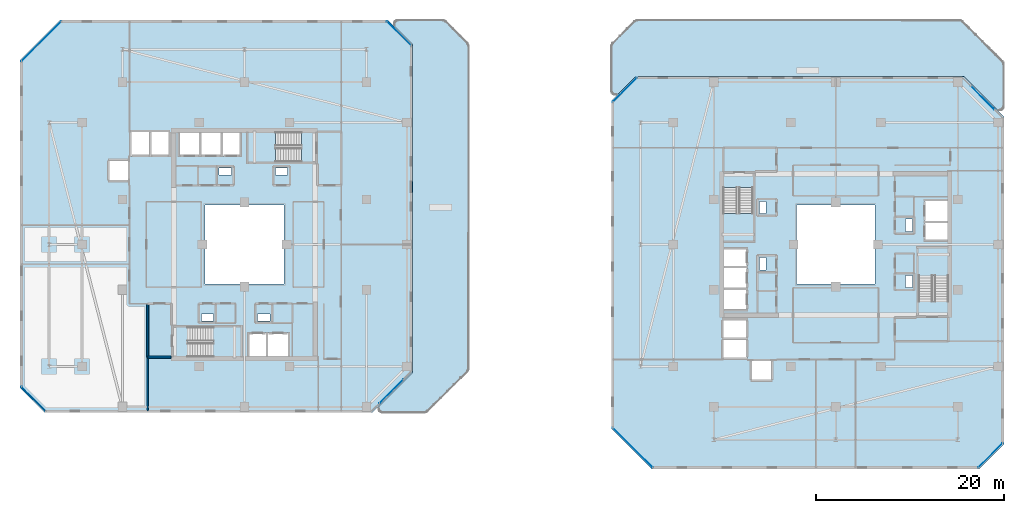
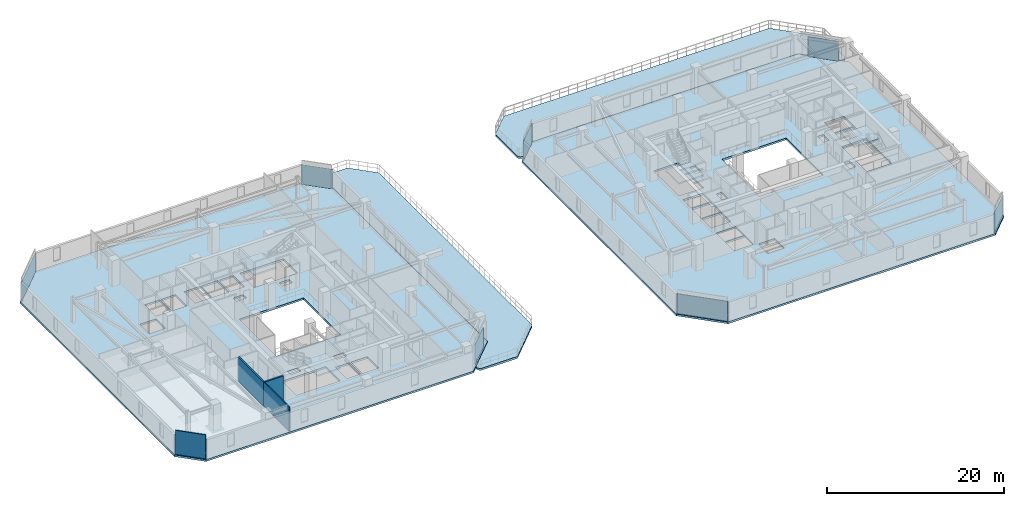
# One storey, part 19 of 32: 8 plates, 8 slabs, 4 walls, 12 elements without a shape of their own.
"""IFC4 building model written with IfcOpenShell, lengths in metres."""

from ifc_helpers import new_model, si_unit, direction, frame, frame_2d, origin, origin_2d, place, context, subcontext, project, spatial, polyline, rectangle, outline, extrude, material, layer, layer_set, type_object, element, aggregate, save


model = new_model("IFC4")

# Units and contexts
model_context = context("Model", 3, precision=1e-05, world=origin(), true_north=direction((0.0, 1.0)))
body_context = subcontext(model_context, "Body", "Model", "MODEL_VIEW")
ifc_project = project(units=[si_unit("LENGTHUNIT", "METRE"), si_unit("AREAUNIT", "SQUARE_METRE"), si_unit("VOLUMEUNIT", "CUBIC_METRE"), si_unit("PLANEANGLEUNIT", "RADIAN"), si_unit("MASSUNIT", "GRAM", prefix="KILO")], contexts=[model_context])

# Site, building, storey
site_placement = place(None, origin())
site = spatial("IfcSite", under=ifc_project, at=site_placement, CompositionType="ELEMENT")
building_placement = place(site_placement, origin())
building = spatial("IfcBuilding", under=site, at=building_placement, Name="Thornwick Lancets Civic Towers", CompositionType="ELEMENT")
storey_placement = place(building_placement, frame((0.0, 0.0, 200.10009765625)))
storey = spatial("IfcBuildingStorey", under=building, at=storey_placement, Name="L53", CompositionType="ELEMENT", Elevation=200.10009765625)

# Curtain wall, plate
ifc_material_1 = material(Name="High-zone chamfered-corner unitised glass curtain wall", Category="glass")
curtain_wall_type = type_object("IfcCurtainWallType", Name="CW_SYS_05", PredefinedType="NOTDEFINED", material=ifc_material_1)
curtain_wall_1_placement = place(storey_placement, origin())
curtain_wall_1 = element("IfcCurtainWall", 1, at=curtain_wall_1_placement, inside=storey, type_object=curtain_wall_type, Name="L53 Curtain Wall CW-L53-A-E1", PredefinedType="NOTDEFINED")
ifc_material_2 = material(Name="Low-e double glazing clear glass", Category="glass")
ifc_layer_1 = layer(ifc_material_2, 0.035888671875, Name="Low-e double glazing clear glass")
ifc_layer_set_1 = layer_set([ifc_layer_1], Name="Low-e double glazing clear glass")
plate_type = type_object("IfcPlateType", Name="CW_PNL_GLASS", PredefinedType="CURTAIN_PANEL", material=ifc_layer_set_1)
plate_1_placement = place(storey_placement, frame((41.142578125, 11.357421875, 0.0), z_axis=(0.0, 0.0, 1.0), x_axis=(0.707106781187, 0.707106781187, 0.0)))
plate_1 = element("IfcPlate", 2, at=plate_1_placement, type_object=plate_type, Name="CW-L53-A-E1 Panel 0", PredefinedType="CURTAIN_PANEL", context=body_context, shape_type="SweptSolid", body=[
    extrude(rectangle(XDim=3.5771484375, YDim=0.035888671875, at=origin_2d()), origin(), (0.0, 0.0, 1.0), 2.699951171875),
])
aggregate(curtain_wall_1, [plate_1])

curtain_wall_2_placement = place(storey_placement, origin())
curtain_wall_2 = element("IfcCurtainWall", 3, at=curtain_wall_2_placement, inside=storey, type_object=curtain_wall_type, Name="L53 Curtain Wall CW-L53-A-E3", PredefinedType="NOTDEFINED")
plate_2_placement = place(storey_placement, frame((41.972900390625, 49.472900390625, 0.0), z_axis=(0.0, 0.0, 1.0), x_axis=(-0.707106781187, 0.707106781187, 0.0)))
plate_2 = element("IfcPlate", 4, at=plate_2_placement, type_object=plate_type, Name="CW-L53-A-E3 Panel 0", PredefinedType="CURTAIN_PANEL", context=body_context, shape_type="SweptSolid", body=[
    extrude(rectangle(XDim=3.649169921875, YDim=0.035888671875, at=origin_2d()), origin(), (0.0, 0.0, 1.0), 2.699951171875),
])
aggregate(curtain_wall_2, [plate_2])

curtain_wall_3_placement = place(storey_placement, origin())
curtain_wall_3 = element("IfcCurtainWall", 5, at=curtain_wall_3_placement, inside=storey, type_object=curtain_wall_type, Name="L53 Curtain Wall CW-L53-A-E5", PredefinedType="NOTDEFINED")
plate_3_placement = place(storey_placement, frame((3.857421875, 48.642578125, 0.0), z_axis=(0.0, 0.0, 1.0), x_axis=(-0.707106781187, -0.707106781187, 0.0)))
plate_3 = element("IfcPlate", 6, at=plate_3_placement, type_object=plate_type, Name="CW-L53-A-E5 Panel 0", PredefinedType="CURTAIN_PANEL", context=body_context, shape_type="SweptSolid", body=[
    extrude(rectangle(XDim=5.98291015625, YDim=0.035888671875, at=origin_2d()), origin(), (0.0, 0.0, 1.0), 2.699951171875),
])
aggregate(curtain_wall_3, [plate_3])

curtain_wall_4_placement = place(storey_placement, origin())
curtain_wall_4 = element("IfcCurtainWall", 7, at=curtain_wall_4_placement, inside=storey, type_object=curtain_wall_type, Name="L53 Curtain Wall CW-L53-A-E7", PredefinedType="NOTDEFINED")
plate_4_placement = place(storey_placement, frame((3.027099609375, 10.527099609375, 0.0), z_axis=(0.0, 0.0, 1.0), x_axis=(0.707106781187, -0.707106781187, 0.0)))
plate_4 = element("IfcPlate", 8, at=plate_4_placement, type_object=plate_type, Name="CW-L53-A-E7 Panel 0", PredefinedType="CURTAIN_PANEL", context=body_context, shape_type="SweptSolid", body=[
    extrude(rectangle(XDim=3.649169921875, YDim=0.035888671875, at=origin_2d()), origin(), (0.0, 0.0, 1.0), 2.699951171875),
])
aggregate(curtain_wall_4, [plate_4])

curtain_wall_5_placement = place(storey_placement, origin())
curtain_wall_5 = element("IfcCurtainWall", 9, at=curtain_wall_5_placement, inside=storey, type_object=curtain_wall_type, Name="L53 Curtain Wall CW-L53-B-E1", PredefinedType="NOTDEFINED")
plate_5_placement = place(storey_placement, frame((104.972900390625, 4.527099609375, 0.0), z_axis=(0.0, 0.0, 1.0), x_axis=(0.707106781187, 0.707106781187, 0.0)))
plate_5 = element("IfcPlate", 10, at=plate_5_placement, type_object=plate_type, Name="CW-L53-B-E1 Panel 0", PredefinedType="CURTAIN_PANEL", context=body_context, shape_type="SweptSolid", body=[
    extrude(rectangle(XDim=3.649169921875, YDim=0.035888671875, at=origin_2d()), origin(), (0.0, 0.0, 1.0), 2.699951171875),
])
aggregate(curtain_wall_5, [plate_5])

curtain_wall_6_placement = place(storey_placement, origin())
curtain_wall_6 = element("IfcCurtainWall", 11, at=curtain_wall_6_placement, inside=storey, type_object=curtain_wall_type, Name="L53 Curtain Wall CW-L53-B-E3", PredefinedType="NOTDEFINED")
plate_6_placement = place(storey_placement, frame((104.142578125, 42.642578125, 0.0), z_axis=(0.0, 0.0, 1.0), x_axis=(-0.707106781187, 0.707106781187, 0.0)))
plate_6 = element("IfcPlate", 12, at=plate_6_placement, type_object=plate_type, Name="CW-L53-B-E3 Panel 0", PredefinedType="CURTAIN_PANEL", context=body_context, shape_type="SweptSolid", body=[
    extrude(rectangle(XDim=3.5771484375, YDim=0.035888671875, at=origin_2d()), origin(), (0.0, 0.0, 1.0), 2.699951171875),
])
aggregate(curtain_wall_6, [plate_6])

curtain_wall_7_placement = place(storey_placement, origin())
curtain_wall_7 = element("IfcCurtainWall", 13, at=curtain_wall_7_placement, inside=storey, type_object=curtain_wall_type, Name="L53 Curtain Wall CW-L53-B-E5", PredefinedType="NOTDEFINED")
plate_7_placement = place(storey_placement, frame((66.027099609375, 43.472900390625, 0.0), z_axis=(0.0, 0.0, 1.0), x_axis=(-0.707106781187, -0.707106781187, 0.0)))
plate_7 = element("IfcPlate", 14, at=plate_7_placement, type_object=plate_type, Name="CW-L53-B-E5 Panel 0", PredefinedType="CURTAIN_PANEL", context=body_context, shape_type="SweptSolid", body=[
    extrude(rectangle(XDim=3.649169921875, YDim=0.035888671875, at=origin_2d()), origin(), (0.0, 0.0, 1.0), 2.699951171875),
])
aggregate(curtain_wall_7, [plate_7])

curtain_wall_8_placement = place(storey_placement, origin())
curtain_wall_8 = element("IfcCurtainWall", 15, at=curtain_wall_8_placement, inside=storey, type_object=curtain_wall_type, Name="L53 Curtain Wall CW-L53-B-E7", PredefinedType="NOTDEFINED")
plate_8_placement = place(storey_placement, frame((66.857421875, 5.357421875, 0.0), z_axis=(0.0, 0.0, 1.0), x_axis=(0.707106781187, -0.707106781187, 0.0)))
plate_8 = element("IfcPlate", 16, at=plate_8_placement, type_object=plate_type, Name="CW-L53-B-E7 Panel 0", PredefinedType="CURTAIN_PANEL", context=body_context, shape_type="SweptSolid", body=[
    extrude(rectangle(XDim=5.98291015625, YDim=0.035888671875, at=origin_2d()), origin(), (0.0, 0.0, 1.0), 2.699951171875),
])
aggregate(curtain_wall_8, [plate_8])

# Stair, slab
ifc_material_3 = material(Name="Concrete C40/50", Category="concrete")
stair_type = type_object("IfcStairType", Name="STAIR_DL_3600", PredefinedType="HALF_TURN_STAIR", material=ifc_material_3)
stair_1_placement = place(storey_placement, origin())
stair_1 = element("IfcStair", 17, at=stair_1_placement, inside=storey, type_object=stair_type, Name="L53 Tower A South Exit Stair ST-A1", PredefinedType="HALF_TURN_STAIR")
ifc_layer_2 = layer(ifc_material_3, 0.25, Name="Concrete C40/50")
ifc_layer_set_2 = layer_set([ifc_layer_2], Name="Concrete C40/50")
slab_type_1 = type_object("IfcSlabType", Name="SLAB_LANDING_200", PredefinedType="LANDING", material=ifc_layer_set_2)
slab_1_placement = place(storey_placement, frame((0.0, 0.0, 1.602783203125)))
slab_1 = element("IfcSlab", 18, at=slab_1_placement, type_object=slab_type_1, Name="ST-A1 landing 1", PredefinedType="LANDING", context=body_context, shape_type="SweptSolid", body=[
    extrude(outline(polyline([(22.169921875, 14.93994140625), (25.14990234375, 14.93994140625), (25.14990234375, 18.260009765625), (22.169921875, 18.260009765625), (22.169921875, 14.93994140625)])), origin(), (0.0, 0.0, 1.0), 0.2001953125),
])
aggregate(stair_1, [slab_1])

stair_2_placement = place(storey_placement, origin())
stair_2 = element("IfcStair", 19, at=stair_2_placement, inside=storey, type_object=stair_type, Name="L53 Tower A North Exit Stair ST-A2", PredefinedType="HALF_TURN_STAIR")
slab_2_placement = place(storey_placement, frame((0.0, 0.0, 1.602783203125)))
slab_2 = element("IfcSlab", 20, at=slab_2_placement, type_object=slab_type_1, Name="ST-A2 landing 1", PredefinedType="LANDING", context=body_context, shape_type="SweptSolid", body=[
    extrude(outline(polyline([(28.830078125, 39.06005859375), (25.85009765625, 39.06005859375), (25.85009765625, 35.739990234375), (28.830078125, 35.739990234375), (28.830078125, 39.06005859375)])), origin(), (0.0, 0.0, 1.0), 0.2001953125),
])
aggregate(stair_2, [slab_2])

stair_3_placement = place(storey_placement, origin())
stair_3 = element("IfcStair", 21, at=stair_3_placement, inside=storey, type_object=stair_type, Name="L53 Tower B East Exit Stair ST-B1", PredefinedType="HALF_TURN_STAIR")
slab_3_placement = place(storey_placement, frame((0.0, 0.0, 1.602783203125)))
slab_3 = element("IfcSlab", 22, at=slab_3_placement, type_object=slab_type_1, Name="ST-B1 landing 1", PredefinedType="LANDING", context=body_context, shape_type="SweptSolid", body=[
    extrude(outline(polyline([(100.56005859375, 23.669921875), (100.56005859375, 26.64990234375), (97.239990234375, 26.64990234375), (97.239990234375, 23.669921875), (100.56005859375, 23.669921875)])), origin(), (0.0, 0.0, 1.0), 0.2001953125),
])
aggregate(stair_3, [slab_3])

stair_4_placement = place(storey_placement, origin())
stair_4 = element("IfcStair", 23, at=stair_4_placement, inside=storey, type_object=stair_type, Name="L53 Tower B West Exit Stair ST-B2", PredefinedType="HALF_TURN_STAIR")
slab_4_placement = place(storey_placement, frame((0.0, 0.0, 1.602783203125)))
slab_4 = element("IfcSlab", 24, at=slab_4_placement, type_object=slab_type_1, Name="ST-B2 landing 1", PredefinedType="LANDING", context=body_context, shape_type="SweptSolid", body=[
    extrude(outline(polyline([(76.43994140625, 30.330078125), (76.43994140625, 27.35009765625), (79.760009765625, 27.35009765625), (79.760009765625, 30.330078125), (76.43994140625, 30.330078125)])), origin(), (0.0, 0.0, 1.0), 0.2001953125),
])
aggregate(stair_4, [slab_4])

# Slabs
ifc_material_4 = material(Name="Post-tensioned concrete C40/50", Category="concrete")
ifc_layer_3 = layer(ifc_material_4, 0.260009765625, Name="Post-tensioned concrete C40/50")
ifc_layer_set_3 = layer_set([ifc_layer_3], Name="Post-tensioned concrete C40/50")
slab_type_2 = type_object("IfcSlabType", Name="SLAB_PT_260", PredefinedType="FLOOR", material=ifc_layer_set_3)
slab_5_placement = place(storey_placement, frame((0.0, 0.0, -0.260009765625)))
element("IfcSlab", 25, at=slab_5_placement, inside=storey, type_object=slab_type_2, Name="L53 Tower A Floor Slab", PredefinedType="FLOOR", context=body_context, shape_type="SweptSolid", body=[
    extrude(outline(polyline([(4.199951171875, 9.10009765625), (39.137939453125, 9.10009765625), (43.39990234375, 13.362060546875), (43.39990234375, 48.300048828125), (40.800048828125, 50.89990234375), (5.862060546875, 50.89990234375), (1.60009765625, 46.637939453125), (1.60009765625, 11.699951171875), (4.199951171875, 9.10009765625)]), holes=[polyline([(21.300048828125, 22.800048828125), (29.699951171875, 22.800048828125), (29.699951171875, 31.199951171875), (21.300048828125, 31.199951171875), (21.300048828125, 22.800048828125)]), polyline([(19.429931640625, 15.0), (25.10009765625, 15.0), (25.10009765625, 18.199951171875), (19.429931640625, 18.199951171875), (19.429931640625, 15.0)]), polyline([(31.570068359375, 39.0), (25.89990234375, 39.0), (25.89990234375, 35.800048828125), (31.570068359375, 35.800048828125), (31.570068359375, 39.0)]), polyline([(26.0, 15.0), (27.800048828125, 15.0), (27.800048828125, 17.550048828125), (26.0, 17.550048828125), (26.0, 15.0)]), polyline([(28.0, 15.0), (30.14990234375, 15.0), (30.14990234375, 17.550048828125), (28.0, 17.550048828125), (28.0, 15.0)]), polyline([(23.199951171875, 36.449951171875), (25.0, 36.449951171875), (25.0, 39.0), (23.199951171875, 39.0), (23.199951171875, 36.449951171875)]), polyline([(20.85009765625, 36.449951171875), (23.0, 36.449951171875), (23.0, 39.0), (20.85009765625, 39.0), (20.85009765625, 36.449951171875)]), polyline([(18.60009765625, 36.449951171875), (20.699951171875, 36.449951171875), (20.699951171875, 39.0), (18.60009765625, 39.0), (18.60009765625, 36.449951171875)]), polyline([(15.550048828125, 36.449951171875), (17.449951171875, 36.449951171875), (17.449951171875, 39.0), (15.550048828125, 39.0), (15.550048828125, 36.449951171875)]), polyline([(13.449951171875, 36.449951171875), (15.39990234375, 36.449951171875), (15.39990234375, 39.0), (13.449951171875, 39.0), (13.449951171875, 36.449951171875)]), polyline([(11.10009765625, 33.85009765625), (13.199951171875, 33.85009765625), (13.199951171875, 35.949951171875), (11.10009765625, 35.949951171875), (11.10009765625, 33.85009765625)]), polyline([(26.89990234375, 18.85009765625), (28.199951171875, 18.85009765625), (28.199951171875, 19.580078125), (26.89990234375, 19.580078125), (26.89990234375, 18.85009765625)]), polyline([(20.89990234375, 18.85009765625), (22.199951171875, 18.85009765625), (22.199951171875, 19.580078125), (20.89990234375, 19.580078125), (20.89990234375, 18.85009765625)]), polyline([(22.800048828125, 34.419921875), (24.10009765625, 34.419921875), (24.10009765625, 35.14990234375), (22.800048828125, 35.14990234375), (22.800048828125, 34.419921875)]), polyline([(28.800048828125, 34.419921875), (30.10009765625, 34.419921875), (30.10009765625, 35.14990234375), (28.800048828125, 35.14990234375), (28.800048828125, 34.419921875)])]), origin(), (0.0, 0.0, 1.0), 0.260009765625),
])
slab_6_placement = place(storey_placement, frame((0.0, 0.0, -0.260009765625)))
element("IfcSlab", 26, at=slab_6_placement, inside=storey, type_object=slab_type_2, Name="L53 Tower A Cantilevered Block Sky-Garden Terrace 1", PredefinedType="FLOOR", context=body_context, shape_type="SweptSolid", body=[
    extrude(outline(polyline([(46.65771484375, 50.897705078125), (46.701416015625, 50.891357421875), (46.744140625, 50.880615234375), (46.785888671875, 50.86572265625), (46.82568359375, 50.846923828125), (46.863525390625, 50.82421875), (46.899169921875, 50.7978515625), (46.931884765625, 50.768310546875), (49.268310546875, 48.431884765625), (49.2978515625, 48.399169921875), (49.32421875, 48.363525390625), (49.346923828125, 48.32568359375), (49.36572265625, 48.285888671875), (49.380615234375, 48.244140625), (49.391357421875, 48.201416015625), (49.397705078125, 48.15771484375), (49.39990234375, 48.113525390625), (49.39990234375, 13.824462890625), (49.397705078125, 13.7802734375), (49.391357421875, 13.736572265625), (49.380615234375, 13.69384765625), (49.36572265625, 13.652099609375), (49.346923828125, 13.6123046875), (49.32421875, 13.574462890625), (49.2978515625, 13.538818359375), (49.268310546875, 13.506103515625), (49.045654296875, 13.28369140625), (44.993896484375, 9.231689453125), (44.961181640625, 9.2021484375), (44.925537109375, 9.17578125), (44.8876953125, 9.153076171875), (44.847900390625, 9.13427734375), (44.80615234375, 9.119384765625), (44.763427734375, 9.108642578125), (44.7197265625, 9.102294921875), (44.675537109375, 9.10009765625), (40.252685546875, 9.10009765625), (40.20849609375, 9.102294921875), (40.164794921875, 9.108642578125), (40.1220703125, 9.119384765625), (40.08056640625, 9.13427734375), (40.04052734375, 9.153076171875), (40.002685546875, 9.17578125), (39.96728515625, 9.2021484375), (39.9345703125, 9.231689453125), (39.90478515625, 9.264404296875), (39.87841796875, 9.300048828125), (39.855712890625, 9.337890625), (39.8369140625, 9.377685546875), (39.822021484375, 9.41943359375), (39.811279296875, 9.462158203125), (39.8046875, 9.505859375), (39.802734375, 9.550048828125), (39.8046875, 9.593994140625), (39.811279296875, 9.6376953125), (39.822021484375, 9.6806640625), (39.8369140625, 9.72216796875), (39.855712890625, 9.76220703125), (39.87841796875, 9.800048828125), (39.90478515625, 9.83544921875), (39.9345703125, 9.8681640625), (43.41015625, 13.343994140625), (43.4140625, 13.347900390625), (43.41552734375, 13.349365234375), (43.41650390625, 13.350830078125), (43.41748046875, 13.3525390625), (43.41845703125, 13.354248046875), (43.419189453125, 13.356201171875), (43.419677734375, 13.358154296875), (43.419921875, 13.360107421875), (43.419921875, 13.362060546875), (43.419921875, 13.367919921875), (43.419921875, 48.29443359375), (43.419921875, 48.300048828125), (43.419921875, 48.302001953125), (43.419677734375, 48.303955078125), (43.419189453125, 48.305908203125), (43.41845703125, 48.3076171875), (43.41748046875, 48.309326171875), (43.41650390625, 48.31103515625), (43.41552734375, 48.312744140625), (43.4140625, 48.314208984375), (43.409912109375, 48.318359375), (41.596435546875, 50.1318359375), (41.56689453125, 50.16455078125), (41.54052734375, 50.199951171875), (41.517822265625, 50.23779296875), (41.498779296875, 50.27783203125), (41.484130859375, 50.3193359375), (41.473388671875, 50.3623046875), (41.466796875, 50.406005859375), (41.464599609375, 50.449951171875), (41.466796875, 50.494140625), (41.473388671875, 50.537841796875), (41.484130859375, 50.58056640625), (41.498779296875, 50.622314453125), (41.517822265625, 50.662109375), (41.54052734375, 50.699951171875), (41.56689453125, 50.735595703125), (41.596435546875, 50.768310546875), (41.629150390625, 50.7978515625), (41.664794921875, 50.82421875), (41.70263671875, 50.846923828125), (41.742431640625, 50.86572265625), (41.7841796875, 50.880615234375), (41.826904296875, 50.891357421875), (41.87060546875, 50.897705078125), (41.914794921875, 50.89990234375), (46.613525390625, 50.89990234375), (46.65771484375, 50.897705078125)])), origin(), (0.0, 0.0, 1.0), 0.260009765625),
])
slab_7_placement = place(storey_placement, frame((0.0, 0.0, -0.260009765625)))
element("IfcSlab", 27, at=slab_7_placement, inside=storey, type_object=slab_type_2, Name="L53 Tower B Floor Slab", PredefinedType="FLOOR", context=body_context, shape_type="SweptSolid", body=[
    extrude(outline(polyline([(68.862060546875, 3.10009765625), (103.800048828125, 3.10009765625), (106.39990234375, 5.699951171875), (106.39990234375, 40.637939453125), (102.137939453125, 44.89990234375), (67.199951171875, 44.89990234375), (64.60009765625, 42.300048828125), (64.60009765625, 7.362060546875), (68.862060546875, 3.10009765625)]), holes=[polyline([(84.300048828125, 22.800048828125), (92.699951171875, 22.800048828125), (92.699951171875, 31.199951171875), (84.300048828125, 31.199951171875), (84.300048828125, 22.800048828125)]), polyline([(100.5, 20.929931640625), (100.5, 26.60009765625), (97.300048828125, 26.60009765625), (97.300048828125, 20.929931640625), (100.5, 20.929931640625)]), polyline([(76.5, 33.070068359375), (76.5, 27.39990234375), (79.699951171875, 27.39990234375), (79.699951171875, 33.070068359375), (76.5, 33.070068359375)]), polyline([(97.949951171875, 27.5), (100.5, 27.5), (100.5, 29.300048828125), (97.949951171875, 29.300048828125), (97.949951171875, 27.5)]), polyline([(97.949951171875, 29.5), (100.5, 29.5), (100.5, 31.64990234375), (97.949951171875, 31.64990234375), (97.949951171875, 29.5)]), polyline([(76.5, 24.699951171875), (79.050048828125, 24.699951171875), (79.050048828125, 26.5), (76.5, 26.5), (76.5, 24.699951171875)]), polyline([(76.5, 22.35009765625), (79.050048828125, 22.35009765625), (79.050048828125, 24.5), (76.5, 24.5), (76.5, 22.35009765625)]), polyline([(76.5, 20.10009765625), (79.050048828125, 20.10009765625), (79.050048828125, 22.199951171875), (76.5, 22.199951171875), (76.5, 20.10009765625)]), polyline([(76.5, 17.050048828125), (79.050048828125, 17.050048828125), (79.050048828125, 18.949951171875), (76.5, 18.949951171875), (76.5, 17.050048828125)]), polyline([(76.5, 14.949951171875), (79.050048828125, 14.949951171875), (79.050048828125, 16.89990234375), (76.5, 16.89990234375), (76.5, 14.949951171875)]), polyline([(79.550048828125, 12.60009765625), (81.64990234375, 12.60009765625), (81.64990234375, 14.699951171875), (79.550048828125, 14.699951171875), (79.550048828125, 12.60009765625)]), polyline([(95.919921875, 28.39990234375), (96.64990234375, 28.39990234375), (96.64990234375, 29.699951171875), (95.919921875, 29.699951171875), (95.919921875, 28.39990234375)]), polyline([(95.919921875, 22.39990234375), (96.64990234375, 22.39990234375), (96.64990234375, 23.699951171875), (95.919921875, 23.699951171875), (95.919921875, 22.39990234375)]), polyline([(80.35009765625, 24.300048828125), (81.080078125, 24.300048828125), (81.080078125, 25.60009765625), (80.35009765625, 25.60009765625), (80.35009765625, 24.300048828125)]), polyline([(80.35009765625, 30.300048828125), (81.080078125, 30.300048828125), (81.080078125, 31.60009765625), (80.35009765625, 31.60009765625), (80.35009765625, 30.300048828125)])]), origin(), (0.0, 0.0, 1.0), 0.260009765625),
])
slab_8_placement = place(storey_placement, frame((0.0, 0.0, -0.260009765625)))
element("IfcSlab", 28, at=slab_8_placement, inside=storey, type_object=slab_type_2, Name="L53 Tower B Cantilevered Block Sky-Garden Terrace 1", PredefinedType="FLOOR", context=body_context, shape_type="SweptSolid", body=[
    extrude(outline(polyline([(64.602294921875, 48.15771484375), (64.608642578125, 48.201416015625), (64.619384765625, 48.244140625), (64.63427734375, 48.285888671875), (64.653076171875, 48.32568359375), (64.67578125, 48.363525390625), (64.7021484375, 48.399169921875), (64.731689453125, 48.431884765625), (67.068115234375, 50.768310546875), (67.100830078125, 50.7978515625), (67.136474609375, 50.82421875), (67.17431640625, 50.846923828125), (67.214111328125, 50.86572265625), (67.255859375, 50.880615234375), (67.298583984375, 50.891357421875), (67.34228515625, 50.897705078125), (67.386474609375, 50.89990234375), (101.675537109375, 50.89990234375), (101.7197265625, 50.897705078125), (101.763427734375, 50.891357421875), (101.80615234375, 50.880615234375), (101.847900390625, 50.86572265625), (101.8876953125, 50.846923828125), (101.925537109375, 50.82421875), (101.961181640625, 50.7978515625), (101.993896484375, 50.768310546875), (106.268310546875, 46.493896484375), (106.2978515625, 46.461181640625), (106.32421875, 46.425537109375), (106.346923828125, 46.3876953125), (106.36572265625, 46.347900390625), (106.380615234375, 46.30615234375), (106.391357421875, 46.263427734375), (106.397705078125, 46.2197265625), (106.39990234375, 46.175537109375), (106.39990234375, 41.752685546875), (106.397705078125, 41.70849609375), (106.391357421875, 41.664794921875), (106.380615234375, 41.6220703125), (106.36572265625, 41.58056640625), (106.346923828125, 41.54052734375), (106.32421875, 41.502685546875), (106.2978515625, 41.46728515625), (106.268310546875, 41.4345703125), (106.235595703125, 41.40478515625), (106.199951171875, 41.37841796875), (106.162109375, 41.355712890625), (106.122314453125, 41.3369140625), (106.08056640625, 41.322021484375), (106.037841796875, 41.311279296875), (105.994140625, 41.3046875), (105.949951171875, 41.302734375), (105.906005859375, 41.3046875), (105.8623046875, 41.311279296875), (105.8193359375, 41.322021484375), (105.77783203125, 41.3369140625), (105.73779296875, 41.355712890625), (105.699951171875, 41.37841796875), (105.66455078125, 41.40478515625), (105.6318359375, 41.4345703125), (102.156005859375, 44.91015625), (102.152099609375, 44.9140625), (102.150634765625, 44.91552734375), (102.149169921875, 44.91650390625), (102.1474609375, 44.91748046875), (102.145751953125, 44.91845703125), (102.143798828125, 44.919189453125), (102.141845703125, 44.919677734375), (102.139892578125, 44.919921875), (102.137939453125, 44.919921875), (102.132080078125, 44.919921875), (67.20556640625, 44.919921875), (67.199951171875, 44.919921875), (67.197998046875, 44.919921875), (67.196044921875, 44.919677734375), (67.194091796875, 44.919189453125), (67.1923828125, 44.91845703125), (67.190673828125, 44.91748046875), (67.18896484375, 44.91650390625), (67.187255859375, 44.91552734375), (67.185791015625, 44.9140625), (67.181640625, 44.909912109375), (65.782958984375, 43.51123046875), (65.3681640625, 43.096435546875), (65.33544921875, 43.06689453125), (65.300048828125, 43.04052734375), (65.26220703125, 43.017822265625), (65.22216796875, 42.998779296875), (65.1806640625, 42.984130859375), (65.1376953125, 42.973388671875), (65.093994140625, 42.966796875), (65.050048828125, 42.964599609375), (65.005859375, 42.966796875), (64.962158203125, 42.973388671875), (64.91943359375, 42.984130859375), (64.877685546875, 42.998779296875), (64.837890625, 43.017822265625), (64.800048828125, 43.04052734375), (64.764404296875, 43.06689453125), (64.731689453125, 43.096435546875), (64.7021484375, 43.129150390625), (64.67578125, 43.164794921875), (64.653076171875, 43.20263671875), (64.63427734375, 43.242431640625), (64.619384765625, 43.2841796875), (64.608642578125, 43.326904296875), (64.602294921875, 43.37060546875), (64.60009765625, 43.414794921875), (64.60009765625, 48.113525390625), (64.602294921875, 48.15771484375)])), origin(), (0.0, 0.0, 1.0), 0.260009765625),
])

# Walls
ifc_material_5 = material(Name="Concrete blockwork C40/50", Category="masonry")
ifc_layer_4 = layer(ifc_material_5, 0.199951171875, Name="Concrete blockwork C40/50")
ifc_layer_set_4 = layer_set([ifc_layer_4], Name="Concrete blockwork C40/50")
wall_type_1 = type_object("IfcWallType", Name="WALL_COMP_200", PredefinedType="STANDARD", material=ifc_layer_set_4)
wall_1_placement = place(storey_placement, frame((15.199951171875, 15.0, 0.0), z_axis=(0.0, 0.0, 1.0), x_axis=(1.0, 0.0, 0.0)))
element("IfcWall", 29, at=wall_1_placement, inside=storey, type_object=wall_type_1, Name="L53 Partition L53-A-FFLOB1 E1", PredefinedType="STANDARD", context=body_context, shape_type="SweptSolid", body=[
    extrude(rectangle(XDim=2.5, YDim=0.199951171875, at=frame_2d((1.25, 0.0))), origin(), (0.0, 0.0, 1.0), 3.31982421875),
])
wall_2_placement = place(storey_placement, frame((15.199951171875, 20.699951171875, 0.0), z_axis=(0.0, 0.0, 1.0), x_axis=(0.0, -1.0, 0.0)))
element("IfcWall", 30, at=wall_2_placement, inside=storey, type_object=wall_type_1, Name="L53 Partition L53-A-FFLOB1 E4", PredefinedType="STANDARD", context=body_context, shape_type="SweptSolid", body=[
    extrude(rectangle(XDim=5.699951171875, YDim=0.199951171875, at=frame_2d((2.85009765625, 0.0))), origin(), (0.0, 0.0, 1.0), 3.31982421875),
])
ifc_material_6 = material(Name="Acoustic gypsum board partition")
ifc_layer_5 = layer(ifc_material_6, 0.1201171875, Name="Acoustic gypsum board partition")
ifc_layer_set_5 = layer_set([ifc_layer_5], Name="Acoustic gypsum board partition")
wall_type_2 = type_object("IfcWallType", Name="WALL_PART_120", PredefinedType="PARTITIONING", material=ifc_layer_set_5)
wall_3_placement = place(storey_placement, frame((15.199951171875, 15.0, 0.0), z_axis=(0.0, 0.0, 1.0), x_axis=(0.0, -1.0, 0.0)))
element("IfcWall", 31, at=wall_3_placement, inside=storey, type_object=wall_type_2, Name="L53 Partition L53-A-W1 E7", PredefinedType="PARTITIONING", context=body_context, shape_type="SweptSolid", body=[
    extrude(rectangle(XDim=5.719970703125, YDim=0.1201171875, at=frame_2d((2.85986328125, 0.0))), origin(), (0.0, 0.0, 1.0), 3.31982421875),
])
wall_4_placement = place(storey_placement, frame((4.274658203125, 9.280029296875, 0.0), z_axis=(0.0, 0.0, 1.0), x_axis=(-0.707106781187, 0.707106781187, 0.0)))
element("IfcWall", 32, at=wall_4_placement, inside=storey, type_object=wall_type_2, Name="L53 Partition L53-A-W1 E9", PredefinedType="PARTITIONING", context=body_context, shape_type="SweptSolid", body=[
    extrude(rectangle(XDim=3.52783203125, YDim=0.1201171875, at=frame_2d((1.763916015625, 0.0))), origin(), (0.0, 0.0, 1.0), 3.31982421875),
])

save(model, "model.ifc")
